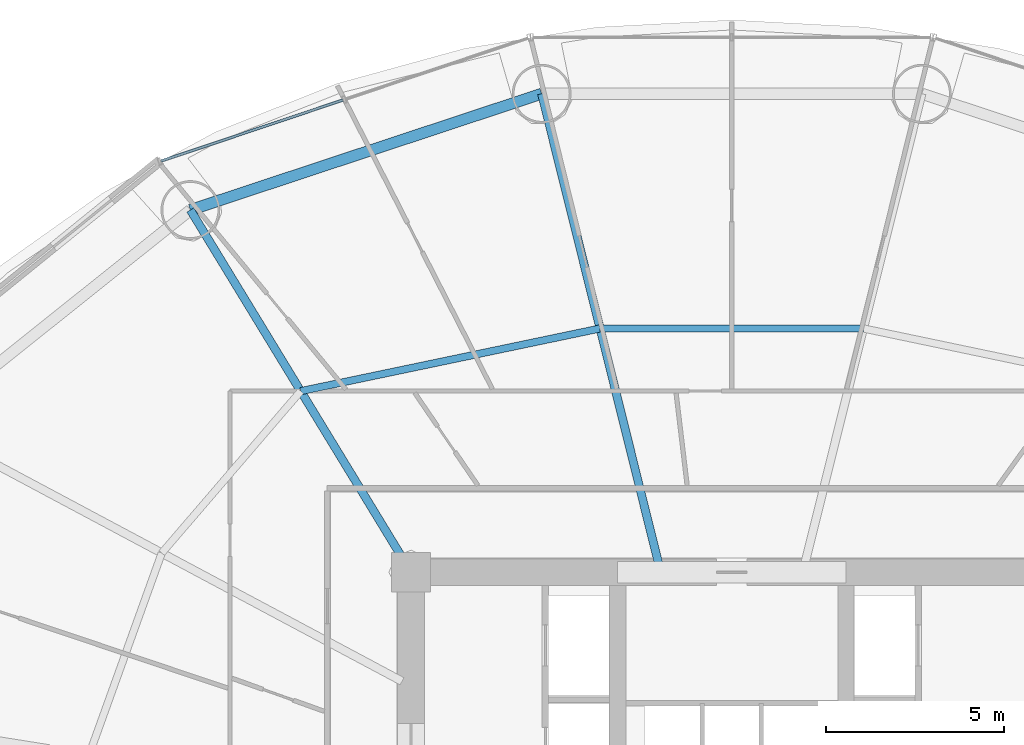
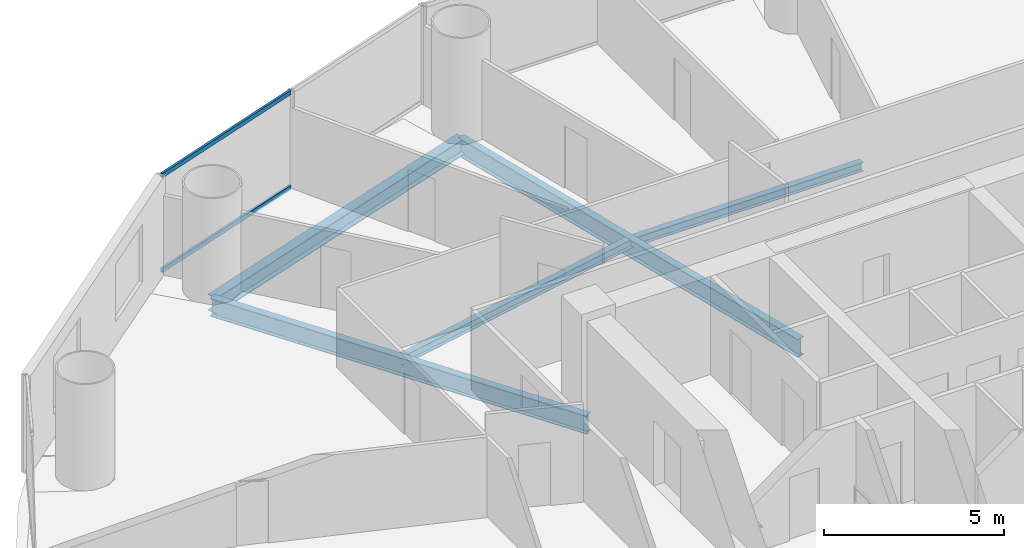
# One storey, part 17 of 30: 5 beams, 2 members, 1 element without a shape of its own.
"""IFC4 building model written with IfcOpenShell, lengths in metres."""

from ifc_helpers import new_model, si_unit, direction, frame, origin, origin_2d, place, context, subcontext, project, spatial, hollow_rectangle, i_section, extrude, source, transform, mapped, material, material_profile, profile_set, type_object, element, aggregate, save


model = new_model("IFC4")

# Units and contexts
model_context = context("Model", 3, precision=1e-05, world=origin(), true_north=direction((-0.2419218956, 0.970295726276)))
body_context = subcontext(model_context, "Body", "Model", "MODEL_VIEW")
ifc_project = project(units=[si_unit("LENGTHUNIT", "METRE"), si_unit("AREAUNIT", "SQUARE_METRE"), si_unit("VOLUMEUNIT", "CUBIC_METRE"), si_unit("PLANEANGLEUNIT", "RADIAN"), si_unit("MASSUNIT", "GRAM", prefix="KILO")], contexts=[model_context])

# Site, building, storey
site_placement = place(None, origin())
site = spatial("IfcSite", under=ifc_project, at=site_placement, CompositionType="ELEMENT")
building_placement = place(site_placement, origin())
building = spatial("IfcBuilding", under=site, at=building_placement, Name="Cobrevalo Terracotta Tower", CompositionType="ELEMENT")
storey_placement = place(building_placement, frame((0.0, 0.0, 60.0)))
storey = spatial("IfcBuildingStorey", under=building, at=storey_placement, Name="L15", CompositionType="ELEMENT", Elevation=60.0)

# Beams
ifc_material_1 = material(Name="Steel S355", Category="steel")
ifc_material_profile_1 = material_profile(ifc_material_1, i_section(OverallWidth=0.22998046875, OverallDepth=0.616943359375, WebThickness=0.01318359375, FlangeThickness=0.022216796875, at=origin_2d()), Name="W 610x140")
ifc_profile_set_1 = profile_set([ifc_material_profile_1], Name="Steel S355")
beam_type_1 = type_object("IfcBeamType", Name="Structural Beam W 610x140 (Steel S355)", PredefinedType="BEAM", material=ifc_profile_set_1)
beam_1_placement = place(storey_placement, frame((32.664306640625, 48.230224609375, -0.58837890625), z_axis=(0.241596254786, -0.970376859614, 0.0), x_axis=(0.970376859614, 0.241596254786, 0.0)))
element("IfcBeam", 1, at=beam_1_placement, inside=storey, type_object=beam_type_1, Name="L15 radial floor girder 05", PredefinedType="BEAM", context=body_context, shape_type="SweptSolid", body=[
    extrude(i_section(OverallWidth=0.22998046875, OverallDepth=0.616943359375, WebThickness=0.01318359375, FlangeThickness=0.022216796875, at=origin_2d()), origin(), (0.0, 0.0, 1.0), 13.577392578125),
])
beam_2_placement = place(storey_placement, frame((22.80517578125, 44.967529296875, -0.58837890625), z_axis=(0.520309892051, -0.853977526773, 0.0), x_axis=(0.853977526773, 0.520309892051, 0.0)))
element("IfcBeam", 2, at=beam_2_placement, inside=storey, type_object=beam_type_1, Name="L15 radial floor girder 06", PredefinedType="BEAM", context=body_context, shape_type="SweptSolid", body=[
    extrude(i_section(OverallWidth=0.22998046875, OverallDepth=0.616943359375, WebThickness=0.01318359375, FlangeThickness=0.022216796875, at=origin_2d()), origin(), (0.0, 0.0, 1.0), 11.906005859375),
])
ifc_material_profile_2 = material_profile(ifc_material_1, i_section(OverallWidth=0.2041015625, OverallDepth=0.305908203125, WebThickness=0.008544921875, FlangeThickness=0.0146484375, at=origin_2d()), Name="W 310x67")
ifc_profile_set_2 = profile_set([ifc_material_profile_2], Name="Steel S355")
beam_type_2 = type_object("IfcBeamType", Name="Structural Joist W 310x67 (Steel S355)", PredefinedType="JOIST", material=ifc_profile_set_2)
beam_3_placement = place(storey_placement, frame((41.695556640625, 41.642578125, -0.43310546875), z_axis=(-1.0, 0.0, 0.0), x_axis=(0.0, -1.0, 0.0)))
element("IfcBeam", 3, at=beam_3_placement, inside=storey, type_object=beam_type_2, Name="L15 circumferential secondary floor joist 04", PredefinedType="JOIST", context=body_context, shape_type="SweptSolid", body=[
    extrude(i_section(OverallWidth=0.2041015625, OverallDepth=0.305908203125, WebThickness=0.008544921875, FlangeThickness=0.0146484375, at=origin_2d()), origin(), (0.0, 0.0, 1.0), 7.39111328125),
])
beam_4_placement = place(storey_placement, frame((34.304443359375, 41.642578125, -0.43310546875), z_axis=(-0.978784523904, -0.204892302848, 0.0), x_axis=(0.204892302848, -0.978784523904, 0.0)))
element("IfcBeam", 4, at=beam_4_placement, inside=storey, type_object=beam_type_2, Name="L15 circumferential secondary floor joist 05", PredefinedType="JOIST", context=body_context, shape_type="SweptSolid", body=[
    extrude(i_section(OverallWidth=0.2041015625, OverallDepth=0.305908203125, WebThickness=0.008544921875, FlangeThickness=0.0146484375, at=origin_2d()), origin(), (0.0, 0.0, 1.0), 8.583984375),
])
ifc_material_profile_3 = material_profile(ifc_material_1, i_section(OverallWidth=0.31201171875, OverallDepth=0.54296875, WebThickness=0.0126953125, FlangeThickness=0.020263671875, at=origin_2d()), Name="W 530x150")
ifc_profile_set_3 = profile_set([ifc_material_profile_3], Name="Steel S355")
beam_type_3 = type_object("IfcBeamType", Name="Structural Spandrel W 530x150 (Steel S355)", PredefinedType="SPANDREL", material=ifc_profile_set_3)
beam_5_placement = place(storey_placement, frame((32.664306640625, 48.230224609375, -0.551513671875), z_axis=(-0.949365190876, -0.314174687638, 0.0), x_axis=(0.314174687638, -0.949365190876, 0.0)))
element("IfcBeam", 5, at=beam_5_placement, inside=storey, type_object=beam_type_3, Name="L15 perimeter ring spandrel 05", PredefinedType="SPANDREL", context=body_context, shape_type="SweptSolid", body=[
    extrude(i_section(OverallWidth=0.31201171875, OverallDepth=0.54296875, WebThickness=0.0126953125, FlangeThickness=0.020263671875, at=origin_2d()), origin(), (0.0, 0.0, 1.0), 10.385009765625),
])

# Curtain wall, members
ifc_material_2 = material(Name="Anodized aluminium", Category="aluminium")
curtain_wall_type = type_object("IfcCurtainWallType", Name="Lower-tower unitised acoustic low-E curtain wall CW-U1", PredefinedType="NOTDEFINED", material=ifc_material_2)
curtain_wall_placement = place(storey_placement, origin())
curtain_wall = element("IfcCurtainWall", 6, at=curtain_wall_placement, inside=storey, type_object=curtain_wall_type, Name="L15 curtain wall CW-L15-S05", PredefinedType="NOTDEFINED")
ifc_material_profile_4 = material_profile(ifc_material_2, hollow_rectangle(XDim=0.074951171875, YDim=0.14990234375, WallThickness=0.00439453125, at=origin_2d()), Name="CWT 75x150")
ifc_profile_set_4 = profile_set([ifc_material_profile_4], Name="Anodized aluminium")
member_type = type_object("IfcMemberType", Name="Tower unitised aluminium transom 75x150", PredefinedType="USERDEFINED", material=ifc_profile_set_4)
shared_shape = source(origin(), body_context, "Body", "SweptSolid", [
    extrude(hollow_rectangle(XDim=0.074951171875, YDim=0.14990234375, WallThickness=0.00439453125, at=origin_2d()), origin(), (0.0, 0.0, 1.0), 5.387939453125),
])
member_1_placement = place(storey_placement, frame((27.0888671875, 48.05419921875, 0.050048828125), z_axis=(-0.94804244582, -0.318143868278, 0.0), x_axis=(0.318143868278, -0.94804244582, 0.0)))
member_1 = element("IfcMember", 7, at=member_1_placement, type_object=member_type, Name="CW-L15-S05 transom B02-T1", ObjectType="TRANSOM", PredefinedType="USERDEFINED", context=body_context, shape_type="MappedRepresentation", body=[
    mapped(shared_shape, transform((0.0, 0.0, 0.0), scale=1.0)),
])
member_2_placement = place(storey_placement, frame((27.0888671875, 48.05419921875, 3.27001953125), z_axis=(-0.94804244582, -0.318143868278, 0.0), x_axis=(0.318143868278, -0.94804244582, 0.0)))
member_2 = element("IfcMember", 8, at=member_2_placement, type_object=member_type, Name="CW-L15-S05 transom B02-T2", ObjectType="TRANSOM", PredefinedType="USERDEFINED", context=body_context, shape_type="MappedRepresentation", body=[
    mapped(shared_shape, transform((0.0, 0.0, 0.0), scale=1.0)),
])
aggregate(curtain_wall, [member_1, member_2])

save(model, "model.ifc")
